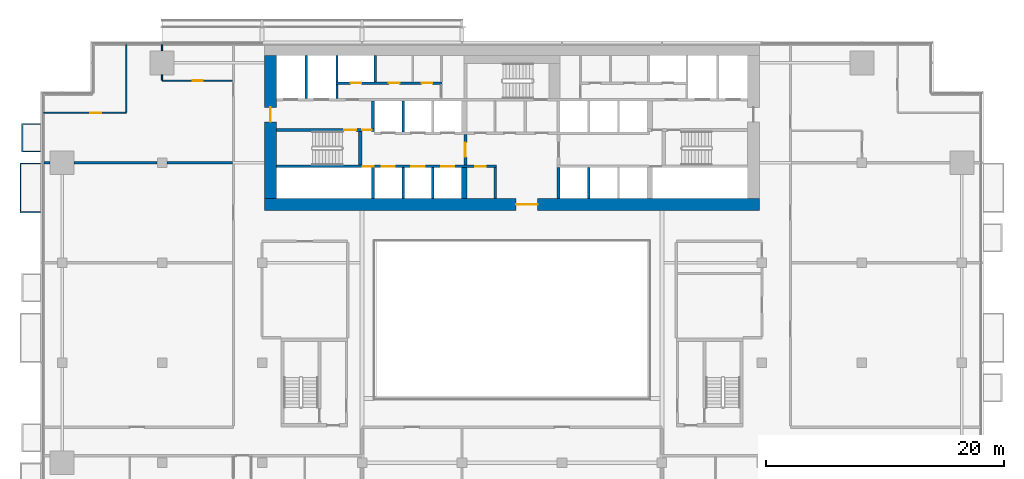
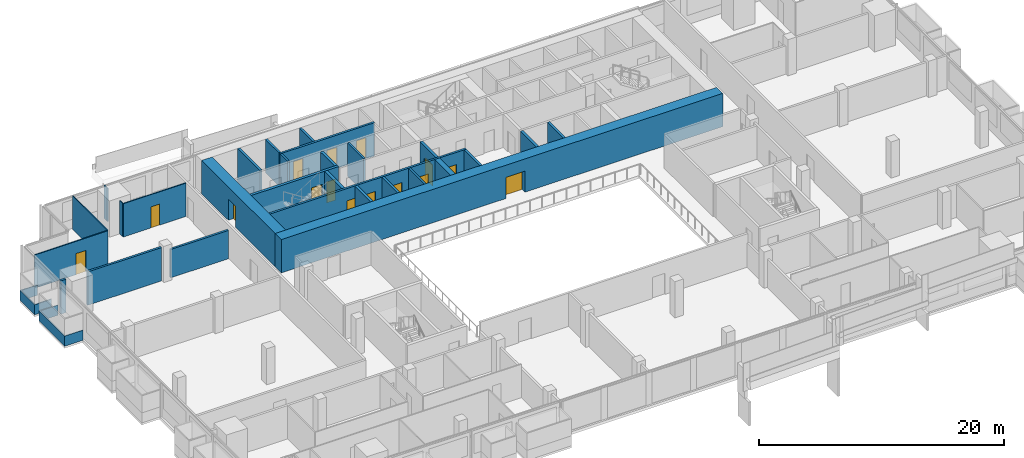
# One storey, part 19 of 26: 30 walls, 15 doors, 15 openings.
"""IFC4 building model written with IfcOpenShell, lengths in metres."""

from ifc_helpers import new_model, si_unit, direction, frame, frame_2d, origin, place, context, subcontext, project, spatial, polyline, rectangle, outline, extrude, material, layer, layer_set, type_object, element, fill, save


model = new_model("IFC4")

# Units and contexts
model_context = context("Model", 3, precision=1e-05, world=origin(), true_north=direction((0.0, 1.0)))
body_context = subcontext(model_context, "Body", "Model", "MODEL_VIEW")
ifc_project = project(units=[si_unit("LENGTHUNIT", "METRE"), si_unit("AREAUNIT", "SQUARE_METRE"), si_unit("VOLUMEUNIT", "CUBIC_METRE"), si_unit("PLANEANGLEUNIT", "RADIAN"), si_unit("MASSUNIT", "GRAM", prefix="KILO")], contexts=[model_context])

# Site, building, storey
site_placement = place(None, origin())
site = spatial("IfcSite", under=ifc_project, at=site_placement, CompositionType="ELEMENT")
building_placement = place(site_placement, origin())
building = spatial("IfcBuilding", under=site, at=building_placement, Name="Saffron Gate Tower", CompositionType="ELEMENT")
storey_placement = place(building_placement, frame((0.0, 0.0, 102.449951171875)))
storey = spatial("IfcBuildingStorey", under=building, at=storey_placement, Name="L23", CompositionType="ELEMENT", Elevation=102.449951171875)

# Wall
ifc_material_1 = material(Name="Gypsum board partition on steel studs", Category="steel")
ifc_layer_1 = layer(ifc_material_1, 0.199951171875)
ifc_layer_set_1 = layer_set([ifc_layer_1], Name="CW10 Core partition 200")
wall_type_1 = type_object("IfcWallType", Name="CW10 Core partition 200", PredefinedType="PARTITIONING", material=ifc_layer_set_1)
wall_1_placement = place(storey_placement, frame((86.199951171875, 62.39990234375, 0.0), z_axis=(0.0, 0.0, 1.0), x_axis=(0.0, 1.0, 0.0)))
element("IfcWall", 1, at=wall_1_placement, inside=storey, type_object=wall_type_1, Name="Wall CW10-L23-9", PredefinedType="PARTITIONING", context=body_context, shape_type="SweptSolid", body=[
    extrude(rectangle(XDim=2.60009765625, YDim=0.199951171875, at=frame_2d((1.300048828125, 0.0))), origin(), (0.0, 0.0, 1.0), 3.320068359375),
])

# Wall, opening, door
ifc_material_2 = material(Name="Concrete C70", Category="concrete")
ifc_layer_2 = layer(ifc_material_2, 1.0)
ifc_layer_set_2 = layer_set([ifc_layer_2], Name="CW12 RC core wall 1000 C70")
wall_type_2 = type_object("IfcWallType", Name="CW12 RC core wall 1000 C70", PredefinedType="SOLIDWALL", material=ifc_layer_set_2)
wall_2_placement = place(storey_placement, frame((66.800048828125, 61.89990234375, 0.0), z_axis=(0.0, 0.0, 1.0), x_axis=(1.0, 0.0, 0.0)))
wall_2 = element("IfcWall", 2, at=wall_2_placement, inside=storey, type_object=wall_type_2, Name="Wall CW12-L23-1", PredefinedType="SOLIDWALL", context=body_context, shape_type="SweptSolid", body=[
    extrude(rectangle(XDim=41.599853515625, YDim=1.0, at=frame_2d((20.7998046875, 0.0))), origin(), (0.0, 0.0, 1.0), 3.320068359375),
])
opening_1_placement = place(wall_2_placement, frame((21.14990234375, 0.0, 0.0)))
opening_1 = element("IfcOpeningElement", 3, at=opening_1_placement, cuts=wall_2, Name="Opening CR-09", PredefinedType="OPENING", context=body_context, shape_type="SweptSolid", body=[
    extrude(rectangle(XDim=1.800048828125, YDim=2.10009765625, at=frame_2d((0.89990234375, 1.050048828125))), frame((0.0, 0.510009765625, 0.0), z_axis=(0.0, -1.0, 0.0), x_axis=(1.0, 0.0, 0.0)), (0.0, 0.0, 1.0), 1.02001953125),
])
ifc_material_3 = material(Name="Steel fire door set", Category="steel")
door_type_1 = type_object("IfcDoorType", Name="CD1 Core entrance door 1800x2100 EI 120", OperationType="NOTDEFINED", PredefinedType="DOOR", material=ifc_material_3)
door_1_placement = place(opening_1_placement, origin())
door_1 = element("IfcDoor", 4, at=door_1_placement, inside=storey, type_object=door_type_1, Name="DOOR CR-09", OperationType="DOUBLE_DOOR_SINGLE_SWING", OverallHeight=2.10009765625, OverallWidth=1.800048828125, PredefinedType="DOOR", context=body_context, shape_type="SweptSolid", body=[
    extrude(rectangle(XDim=1.800048828125, YDim=2.10009765625, at=frame_2d((0.89990234375, 1.050048828125))), frame((0.0, 0.02490234375, 0.0), z_axis=(0.0, -1.0, 0.0), x_axis=(1.0, 0.0, 0.0)), (0.0, 0.0, 1.0), 0.050048828125),
])
fill(opening_1, door_1)

wall_3_placement = place(storey_placement, frame((67.300048828125, 62.39990234375, 0.0), z_axis=(0.0, 0.0, 1.0), x_axis=(0.0, 1.0, 0.0)))
wall_3 = element("IfcWall", 5, at=wall_3_placement, inside=storey, type_object=wall_type_2, Name="Wall CW12-L23-3", PredefinedType="SOLIDWALL", context=body_context, shape_type="SweptSolid", body=[
    extrude(rectangle(XDim=12.0, YDim=1.0, at=frame_2d((6.0, 0.0))), origin(), (0.0, 0.0, 1.0), 3.320068359375),
])
opening_2_placement = place(wall_3_placement, frame((6.449951171875, 0.0, 0.0)))
opening_2 = element("IfcOpeningElement", 6, at=opening_2_placement, cuts=wall_3, Name="Opening CR-10", PredefinedType="OPENING", context=body_context, shape_type="SweptSolid", body=[
    extrude(rectangle(XDim=1.199951171875, YDim=2.10009765625, at=frame_2d((0.60009765625, 1.050048828125))), frame((0.0, 0.510009765625, 0.0), z_axis=(0.0, -1.0, 0.0), x_axis=(1.0, 0.0, 0.0)), (0.0, 0.0, 1.0), 1.02001953125),
])
door_type_2 = type_object("IfcDoorType", Name="CD7 Core entrance door 1200x2100 EI 120", OperationType="NOTDEFINED", PredefinedType="DOOR", material=ifc_material_3)
door_2_placement = place(opening_2_placement, origin())
door_2 = element("IfcDoor", 7, at=door_2_placement, inside=storey, type_object=door_type_2, Name="DOOR CR-10", OperationType="SINGLE_SWING_LEFT", OverallHeight=2.10009765625, OverallWidth=1.199951171875, PredefinedType="DOOR", context=body_context, shape_type="SweptSolid", body=[
    extrude(rectangle(XDim=1.199951171875, YDim=2.10009765625, at=frame_2d((0.60009765625, 1.050048828125))), frame((0.0, 0.02490234375, 0.0), z_axis=(0.0, -1.0, 0.0), x_axis=(1.0, 0.0, 0.0)), (0.0, 0.0, 1.0), 0.050048828125),
])
fill(opening_2, door_2)

# Walls
ifc_layer_3 = layer(ifc_material_2, 0.25)
ifc_layer_set_3 = layer_set([ifc_layer_3], Name="CW2 RC core wall 250 C70")
wall_type_3 = type_object("IfcWallType", Name="CW2 RC core wall 250 C70", PredefinedType="SOLIDWALL", material=ifc_layer_set_3)
for number, where, z_axis, x_axis, name in (
    (8, (75.925048828125, 62.39990234375, 0.0), (0.0, 0.0, 1.0), (0.0, 1.0, 0.0), "Wall CW2-L23-5"),
    (9, (91.52490234375, 62.39990234375, 0.0), (0.0, 0.0, 1.0), (0.0, 1.0, 0.0), "Wall CW2-L23-10"),
):
    element("IfcWall", number, at=place(storey_placement, frame(where, z_axis=z_axis, x_axis=x_axis)), inside=storey, type_object=wall_type_3, Name=name, PredefinedType="SOLIDWALL", context=body_context, shape_type="SweptSolid", body=[
        extrude(rectangle(XDim=2.60009765625, YDim=0.25, at=frame_2d((1.300048828125, 0.0))), origin(), (0.0, 0.0, 1.0), 3.320068359375),
    ])

# Wall, opening, door
wall_4_placement = place(storey_placement, frame((83.675048828125, 65.199951171875, 0.0), z_axis=(0.0, 0.0, 1.0), x_axis=(0.0, 1.0, 0.0)))
wall_4 = element("IfcWall", 10, at=wall_4_placement, inside=storey, type_object=wall_type_3, Name="Wall CW2-L23-17", PredefinedType="SOLIDWALL", context=body_context, shape_type="SweptSolid", body=[
    extrude(rectangle(XDim=2.60009765625, YDim=0.25, at=frame_2d((1.300048828125, 0.0))), origin(), (0.0, 0.0, 1.0), 3.320068359375),
])
opening_3_placement = place(wall_4_placement, frame((0.699951171875, 0.0, 0.0)))
opening_3 = element("IfcOpeningElement", 11, at=opening_3_placement, cuts=wall_4, Name="Opening CR-07", PredefinedType="OPENING", context=body_context, shape_type="SweptSolid", body=[
    extrude(rectangle(XDim=1.199951171875, YDim=2.10009765625, at=frame_2d((0.60009765625, 1.050048828125))), frame((0.0, 0.135009765625, 0.0), z_axis=(0.0, -1.0, 0.0), x_axis=(1.0, 0.0, 0.0)), (0.0, 0.0, 1.0), 0.27001953125),
])
door_type_3 = type_object("IfcDoorType", Name="CD3 Lobby door 1200x2100 EI 120", OperationType="NOTDEFINED", PredefinedType="DOOR", material=ifc_material_3)
door_3_placement = place(opening_3_placement, origin())
door_3 = element("IfcDoor", 12, at=door_3_placement, inside=storey, type_object=door_type_3, Name="DOOR CR-07", OperationType="SINGLE_SWING_RIGHT", OverallHeight=2.10009765625, OverallWidth=1.199951171875, PredefinedType="DOOR", context=body_context, shape_type="SweptSolid", body=[
    extrude(rectangle(XDim=1.199951171875, YDim=2.10009765625, at=frame_2d((0.60009765625, 1.050048828125))), frame((0.0, 0.02490234375, 0.0), z_axis=(0.0, -1.0, 0.0), x_axis=(1.0, 0.0, 0.0)), (0.0, 0.0, 1.0), 0.050048828125),
])
fill(opening_3, door_3)

# Wall, openings, doors
wall_5_placement = place(storey_placement, frame((67.800048828125, 68.175048828125, 0.0), z_axis=(0.0, 0.0, 1.0), x_axis=(1.0, 0.0, 0.0)))
wall_5 = element("IfcWall", 13, at=wall_5_placement, inside=storey, type_object=wall_type_3, Name="Wall CW2-L23-30", PredefinedType="SOLIDWALL", context=body_context, shape_type="SweptSolid", body=[
    extrude(rectangle(XDim=8.25, YDim=0.25, at=frame_2d((4.125, 0.0))), origin(), (0.0, 0.0, 1.0), 3.320068359375),
])
opening_4_placement = place(wall_5_placement, frame((5.699951171875, 0.0, 0.0)))
opening_4 = element("IfcOpeningElement", 14, at=opening_4_placement, cuts=wall_5, Name="Opening CR-15", PredefinedType="OPENING", context=body_context, shape_type="SweptSolid", body=[
    extrude(rectangle(XDim=1.0, YDim=2.10009765625, at=frame_2d((0.5, 1.050048828125))), frame((0.0, 0.135009765625, 0.0), z_axis=(0.0, -1.0, 0.0), x_axis=(1.0, 0.0, 0.0)), (0.0, 0.0, 1.0), 0.27001953125),
])
opening_5_placement = place(wall_5_placement, frame((7.199951171875, 0.0, 0.0)))
opening_5 = element("IfcOpeningElement", 15, at=opening_5_placement, cuts=wall_5, Name="Opening CR-06", PredefinedType="OPENING", context=body_context, shape_type="SweptSolid", body=[
    extrude(rectangle(XDim=0.800048828125, YDim=2.10009765625, at=frame_2d((0.39990234375, 1.050048828125))), frame((0.0, 0.135009765625, 0.0), z_axis=(0.0, -1.0, 0.0), x_axis=(1.0, 0.0, 0.0)), (0.0, 0.0, 1.0), 0.27001953125),
])
door_type_4 = type_object("IfcDoorType", Name="CD5 Stair door 1000x2100 EI 120", OperationType="NOTDEFINED", PredefinedType="DOOR", material=ifc_material_3)
door_4_placement = place(opening_4_placement, origin())
door_4 = element("IfcDoor", 16, at=door_4_placement, inside=storey, type_object=door_type_4, Name="DOOR CR-15", OperationType="SINGLE_SWING_RIGHT", OverallHeight=2.10009765625, OverallWidth=1.0, PredefinedType="DOOR", context=body_context, shape_type="SweptSolid", body=[
    extrude(rectangle(XDim=1.0, YDim=2.10009765625, at=frame_2d((0.5, 1.050048828125))), frame((0.0, 0.02490234375, 0.0), z_axis=(0.0, -1.0, 0.0), x_axis=(1.0, 0.0, 0.0)), (0.0, 0.0, 1.0), 0.050048828125),
])
fill(opening_4, door_4)
door_type_5 = type_object("IfcDoorType", Name="CD6 Lobby door 800x2100 EI 120", OperationType="NOTDEFINED", PredefinedType="DOOR", material=ifc_material_3)
door_5_placement = place(opening_5_placement, origin())
door_5 = element("IfcDoor", 17, at=door_5_placement, inside=storey, type_object=door_type_5, Name="DOOR CR-06", OperationType="SINGLE_SWING_LEFT", OverallHeight=2.10009765625, OverallWidth=0.800048828125, PredefinedType="DOOR", context=body_context, shape_type="SweptSolid", body=[
    extrude(rectangle(XDim=0.800048828125, YDim=2.10009765625, at=frame_2d((0.39990234375, 1.050048828125))), frame((0.0, 0.02490234375, 0.0), z_axis=(0.0, -1.0, 0.0), x_axis=(1.0, 0.0, 0.0)), (0.0, 0.0, 1.0), 0.050048828125),
])
fill(opening_5, door_5)

# Walls
wall_6_placement = place(storey_placement, frame((75.925048828125, 68.300048828125, 0.0), z_axis=(0.0, 0.0, 1.0), x_axis=(0.0, 1.0, 0.0)))
element("IfcWall", 18, at=wall_6_placement, inside=storey, type_object=wall_type_3, Name="Wall CW2-L23-32", PredefinedType="SOLIDWALL", context=body_context, shape_type="SweptSolid", body=[
    extrude(rectangle(XDim=2.300048828125, YDim=0.25, at=frame_2d((1.14990234375, 0.0))), origin(), (0.0, 0.0, 1.0), 3.320068359375),
])
ifc_layer_4 = layer(ifc_material_2, 0.199951171875)
ifc_layer_set_4 = layer_set([ifc_layer_4], Name="CW3 RC core wall 200 C70")
wall_type_4 = type_object("IfcWallType", Name="CW3 RC core wall 200 C70", PredefinedType="SOLIDWALL", material=ifc_layer_set_4)
for number, where, z_axis, x_axis, name in (
    (19, (78.449951171875, 62.39990234375, 0.0), (0.0, 0.0, 1.0), (0.0, 1.0, 0.0), "Wall CW3-L23-6"),
    (20, (80.949951171875, 62.39990234375, 0.0), (0.0, 0.0, 1.0), (0.0, 1.0, 0.0), "Wall CW3-L23-7"),
    (21, (94.050048828125, 62.39990234375, 0.0), (0.0, 0.0, 1.0), (0.0, 1.0, 0.0), "Wall CW3-L23-11"),
):
    element("IfcWall", number, at=place(storey_placement, frame(where, z_axis=z_axis, x_axis=x_axis)), inside=storey, type_object=wall_type_4, Name=name, PredefinedType="SOLIDWALL", context=body_context, shape_type="SweptSolid", body=[
        extrude(rectangle(XDim=2.60009765625, YDim=0.199951171875, at=frame_2d((1.300048828125, 0.0))), origin(), (0.0, 0.0, 1.0), 3.320068359375),
    ])

# Wall, openings, doors
wall_7_placement = place(storey_placement, frame((67.800048828125, 65.10009765625, 0.0), z_axis=(0.0, 0.0, 1.0), x_axis=(1.0, 0.0, 0.0)))
wall_7 = element("IfcWall", 22, at=wall_7_placement, inside=storey, type_object=wall_type_4, Name="Wall CW3-L23-14", PredefinedType="SOLIDWALL", context=body_context, shape_type="SweptSolid", body=[
    extrude(rectangle(XDim=18.5, YDim=0.199951171875, at=frame_2d((9.25, 0.0))), origin(), (0.0, 0.0, 1.0), 3.320068359375),
])
opening_6_placement = place(wall_7_placement, frame((7.27001953125, 0.0, 0.0)))
opening_6 = element("IfcOpeningElement", 23, at=opening_6_placement, cuts=wall_7, Name="Opening CR-49", PredefinedType="OPENING", context=body_context, shape_type="SweptSolid", body=[
    extrude(rectangle(XDim=0.89990234375, YDim=2.10009765625, at=frame_2d((0.449951171875, 1.050048828125))), frame((0.0, 0.10986328125, 0.0), z_axis=(0.0, -1.0, 0.0), x_axis=(1.0, 0.0, 0.0)), (0.0, 0.0, 1.0), 0.219970703125),
])
opening_7_placement = place(wall_7_placement, frame((8.85009765625, 0.0, 0.0)))
opening_7 = element("IfcOpeningElement", 24, at=opening_7_placement, cuts=wall_7, Name="Opening LD-LR1", PredefinedType="OPENING", context=body_context, shape_type="SweptSolid", body=[
    extrude(rectangle(XDim=1.10009765625, YDim=2.10009765625, at=frame_2d((0.550048828125, 1.050048828125))), frame((0.0, 0.10986328125, 0.0), z_axis=(0.0, -1.0, 0.0), x_axis=(1.0, 0.0, 0.0)), (0.0, 0.0, 1.0), 0.219970703125),
])
opening_8_placement = place(wall_7_placement, frame((11.35009765625, 0.0, 0.0)))
opening_8 = element("IfcOpeningElement", 25, at=opening_8_placement, cuts=wall_7, Name="Opening LD-LR2", PredefinedType="OPENING", context=body_context, shape_type="SweptSolid", body=[
    extrude(rectangle(XDim=1.10009765625, YDim=2.10009765625, at=frame_2d((0.550048828125, 1.050048828125))), frame((0.0, 0.10986328125, 0.0), z_axis=(0.0, -1.0, 0.0), x_axis=(1.0, 0.0, 0.0)), (0.0, 0.0, 1.0), 0.219970703125),
])
opening_9_placement = place(wall_7_placement, frame((13.85009765625, 0.0, 0.0)))
opening_9 = element("IfcOpeningElement", 26, at=opening_9_placement, cuts=wall_7, Name="Opening LD-LR3", PredefinedType="OPENING", context=body_context, shape_type="SweptSolid", body=[
    extrude(rectangle(XDim=1.10009765625, YDim=2.10009765625, at=frame_2d((0.550048828125, 1.050048828125))), frame((0.0, 0.10986328125, 0.0), z_axis=(0.0, -1.0, 0.0), x_axis=(1.0, 0.0, 0.0)), (0.0, 0.0, 1.0), 0.219970703125),
])
opening_10_placement = place(wall_7_placement, frame((16.699951171875, 0.0, 0.0)))
opening_10 = element("IfcOpeningElement", 27, at=opening_10_placement, cuts=wall_7, Name="Opening CR-69", PredefinedType="OPENING", context=body_context, shape_type="SweptSolid", body=[
    extrude(rectangle(XDim=0.89990234375, YDim=2.10009765625, at=frame_2d((0.449951171875, 1.050048828125))), frame((0.0, 0.10986328125, 0.0), z_axis=(0.0, -1.0, 0.0), x_axis=(1.0, 0.0, 0.0)), (0.0, 0.0, 1.0), 0.219970703125),
])
door_type_6 = type_object("IfcDoorType", Name="CD2 Riser door 900x2100 EI 60", OperationType="NOTDEFINED", PredefinedType="DOOR", material=ifc_material_3)
door_6_placement = place(opening_6_placement, origin())
door_6 = element("IfcDoor", 28, at=door_6_placement, inside=storey, type_object=door_type_6, Name="DOOR CR-49", OperationType="SINGLE_SWING_LEFT", OverallHeight=2.10009765625, OverallWidth=0.89990234375, PredefinedType="DOOR", context=body_context, shape_type="SweptSolid", body=[
    extrude(rectangle(XDim=0.89990234375, YDim=2.10009765625, at=frame_2d((0.449951171875, 1.050048828125))), frame((0.0, 0.02490234375, 0.0), z_axis=(0.0, -1.0, 0.0), x_axis=(1.0, 0.0, 0.0)), (0.0, 0.0, 1.0), 0.050048828125),
])
fill(opening_6, door_6)
door_type_7 = type_object("IfcDoorType", Name="CD9 Room door 900x2100 EI 60", OperationType="NOTDEFINED", PredefinedType="DOOR", material=ifc_material_3)
door_7_placement = place(opening_10_placement, origin())
door_7 = element("IfcDoor", 29, at=door_7_placement, inside=storey, type_object=door_type_7, Name="DOOR CR-69", OperationType="SINGLE_SWING_RIGHT", OverallHeight=2.10009765625, OverallWidth=0.89990234375, PredefinedType="DOOR", context=body_context, shape_type="SweptSolid", body=[
    extrude(rectangle(XDim=0.89990234375, YDim=2.10009765625, at=frame_2d((0.449951171875, 1.050048828125))), frame((0.0, 0.02490234375, 0.0), z_axis=(0.0, -1.0, 0.0), x_axis=(1.0, 0.0, 0.0)), (0.0, 0.0, 1.0), 0.050048828125),
])
fill(opening_10, door_7)
ifc_material_4 = material(Name="Stainless steel landing door", Category="steel")
door_type_8 = type_object("IfcDoorType", Name="LD Lift landing door 1100x2100 EI 120", OperationType="SLIDING_TO_LEFT", PredefinedType="DOOR", material=ifc_material_4)
door_8_placement = place(opening_7_placement, origin())
door_8 = element("IfcDoor", 30, at=door_8_placement, inside=storey, type_object=door_type_8, Name="LANDING DOOR LD-LR1", OperationType="SLIDING_TO_LEFT", OverallHeight=2.10009765625, OverallWidth=1.10009765625, PredefinedType="DOOR", context=body_context, shape_type="SweptSolid", body=[
    extrude(rectangle(XDim=1.10009765625, YDim=2.10009765625, at=frame_2d((0.550048828125, 1.050048828125))), frame((0.0, 0.02490234375, 0.0), z_axis=(0.0, -1.0, 0.0), x_axis=(1.0, 0.0, 0.0)), (0.0, 0.0, 1.0), 0.050048828125),
])
fill(opening_7, door_8)
door_9_placement = place(opening_8_placement, origin())
door_9 = element("IfcDoor", 31, at=door_9_placement, inside=storey, type_object=door_type_8, Name="LANDING DOOR LD-LR2", OperationType="SLIDING_TO_LEFT", OverallHeight=2.10009765625, OverallWidth=1.10009765625, PredefinedType="DOOR", context=body_context, shape_type="SweptSolid", body=[
    extrude(rectangle(XDim=1.10009765625, YDim=2.10009765625, at=frame_2d((0.550048828125, 1.050048828125))), frame((0.0, 0.02490234375, 0.0), z_axis=(0.0, -1.0, 0.0), x_axis=(1.0, 0.0, 0.0)), (0.0, 0.0, 1.0), 0.050048828125),
])
fill(opening_8, door_9)
door_10_placement = place(opening_9_placement, origin())
door_10 = element("IfcDoor", 32, at=door_10_placement, inside=storey, type_object=door_type_8, Name="LANDING DOOR LD-LR3", OperationType="SLIDING_TO_LEFT", OverallHeight=2.10009765625, OverallWidth=1.10009765625, PredefinedType="DOOR", context=body_context, shape_type="SweptSolid", body=[
    extrude(rectangle(XDim=1.10009765625, YDim=2.10009765625, at=frame_2d((0.550048828125, 1.050048828125))), frame((0.0, 0.02490234375, 0.0), z_axis=(0.0, -1.0, 0.0), x_axis=(1.0, 0.0, 0.0)), (0.0, 0.0, 1.0), 0.050048828125),
])
fill(opening_9, door_10)

# Walls
wall_8_placement = place(storey_placement, frame((78.449951171875, 68.0, 0.0), z_axis=(0.0, 0.0, 1.0), x_axis=(0.0, 1.0, 0.0)))
element("IfcWall", 33, at=wall_8_placement, inside=storey, type_object=wall_type_4, Name="Wall CW3-L23-21", PredefinedType="SOLIDWALL", context=body_context, shape_type="SweptSolid", body=[
    extrude(rectangle(XDim=2.60009765625, YDim=0.199951171875, at=frame_2d((1.300048828125, 0.0))), origin(), (0.0, 0.0, 1.0), 3.320068359375),
])
wall_9_placement = place(storey_placement, frame((70.300048828125, 70.800048828125, 0.0), z_axis=(0.0, 0.0, 1.0), x_axis=(0.0, 1.0, 0.0)))
element("IfcWall", 34, at=wall_9_placement, inside=storey, type_object=wall_type_4, Name="Wall CW3-L23-35", PredefinedType="SOLIDWALL", context=body_context, shape_type="SweptSolid", body=[
    extrude(rectangle(XDim=3.599853515625, YDim=0.199951171875, at=frame_2d((1.7998046875, 0.0))), origin(), (0.0, 0.0, 1.0), 3.320068359375),
])
wall_10_placement = place(storey_placement, frame((72.89990234375, 70.800048828125, 0.0), z_axis=(0.0, 0.0, 1.0), x_axis=(0.0, 1.0, 0.0)))
element("IfcWall", 35, at=wall_10_placement, inside=storey, type_object=wall_type_4, Name="Wall CW3-L23-36", PredefinedType="SOLIDWALL", context=body_context, shape_type="SweptSolid", body=[
    extrude(rectangle(XDim=1.199951171875, YDim=0.199951171875, at=frame_2d((0.60009765625, 0.0))), origin(), (0.0, 0.0, 1.0), 3.320068359375),
])

# Wall, openings, doors
wall_11_placement = place(storey_placement, frame((72.800048828125, 72.10009765625, 0.0), z_axis=(0.0, 0.0, 1.0), x_axis=(1.0, 0.0, 0.0)))
wall_11 = element("IfcWall", 36, at=wall_11_placement, inside=storey, type_object=wall_type_4, Name="Wall CW3-L23-43", PredefinedType="SOLIDWALL", context=body_context, shape_type="SweptSolid", body=[
    extrude(rectangle(XDim=8.919921875, YDim=0.199951171875, at=frame_2d((4.4599609375, 0.0))), origin(), (0.0, 0.0, 1.0), 3.320068359375),
])
opening_11_placement = place(wall_11_placement, frame((1.25, 0.0, 0.0)))
opening_11 = element("IfcOpeningElement", 37, at=opening_11_placement, cuts=wall_11, Name="Opening CR-71", PredefinedType="OPENING", context=body_context, shape_type="SweptSolid", body=[
    extrude(rectangle(XDim=0.89990234375, YDim=2.10009765625, at=frame_2d((0.449951171875, 1.050048828125))), frame((0.0, 0.10986328125, 0.0), z_axis=(0.0, -1.0, 0.0), x_axis=(1.0, 0.0, 0.0)), (0.0, 0.0, 1.0), 0.219970703125),
])
opening_12_placement = place(wall_11_placement, frame((4.449951171875, 0.0, 0.0)))
opening_12 = element("IfcOpeningElement", 38, at=opening_12_placement, cuts=wall_11, Name="Opening CR-55", PredefinedType="OPENING", context=body_context, shape_type="SweptSolid", body=[
    extrude(rectangle(XDim=0.89990234375, YDim=2.10009765625, at=frame_2d((0.449951171875, 1.050048828125))), frame((0.0, 0.10986328125, 0.0), z_axis=(0.0, -1.0, 0.0), x_axis=(1.0, 0.0, 0.0)), (0.0, 0.0, 1.0), 0.219970703125),
])
opening_13_placement = place(wall_11_placement, frame((7.2099609375, 0.0, 0.0)))
opening_13 = element("IfcOpeningElement", 39, at=opening_13_placement, cuts=wall_11, Name="Opening CR-58", PredefinedType="OPENING", context=body_context, shape_type="SweptSolid", body=[
    extrude(rectangle(XDim=0.89990234375, YDim=2.10009765625, at=frame_2d((0.449951171875, 1.050048828125))), frame((0.0, 0.10986328125, 0.0), z_axis=(0.0, -1.0, 0.0), x_axis=(1.0, 0.0, 0.0)), (0.0, 0.0, 1.0), 0.219970703125),
])
door_11_placement = place(opening_11_placement, origin())
door_11 = element("IfcDoor", 40, at=door_11_placement, inside=storey, type_object=door_type_6, Name="DOOR CR-71", OperationType="SINGLE_SWING_LEFT", OverallHeight=2.10009765625, OverallWidth=0.89990234375, PredefinedType="DOOR", context=body_context, shape_type="SweptSolid", body=[
    extrude(rectangle(XDim=0.89990234375, YDim=2.10009765625, at=frame_2d((0.449951171875, 1.050048828125))), frame((0.0, 0.02490234375, 0.0), z_axis=(0.0, -1.0, 0.0), x_axis=(1.0, 0.0, 0.0)), (0.0, 0.0, 1.0), 0.050048828125),
])
fill(opening_11, door_11)
door_12_placement = place(opening_12_placement, origin())
door_12 = element("IfcDoor", 41, at=door_12_placement, inside=storey, type_object=door_type_7, Name="DOOR CR-55", OperationType="SINGLE_SWING_LEFT", OverallHeight=2.10009765625, OverallWidth=0.89990234375, PredefinedType="DOOR", context=body_context, shape_type="SweptSolid", body=[
    extrude(rectangle(XDim=0.89990234375, YDim=2.10009765625, at=frame_2d((0.449951171875, 1.050048828125))), frame((0.0, 0.02490234375, 0.0), z_axis=(0.0, -1.0, 0.0), x_axis=(1.0, 0.0, 0.0)), (0.0, 0.0, 1.0), 0.050048828125),
])
fill(opening_12, door_12)
door_13_placement = place(opening_13_placement, origin())
door_13 = element("IfcDoor", 42, at=door_13_placement, inside=storey, type_object=door_type_7, Name="DOOR CR-58", OperationType="SINGLE_SWING_LEFT", OverallHeight=2.10009765625, OverallWidth=0.89990234375, PredefinedType="DOOR", context=body_context, shape_type="SweptSolid", body=[
    extrude(rectangle(XDim=0.89990234375, YDim=2.10009765625, at=frame_2d((0.449951171875, 1.050048828125))), frame((0.0, 0.02490234375, 0.0), z_axis=(0.0, -1.0, 0.0), x_axis=(1.0, 0.0, 0.0)), (0.0, 0.0, 1.0), 0.050048828125),
])
fill(opening_13, door_13)

# Walls
for number, where, z_axis, x_axis, name in (
    (43, (72.89990234375, 72.199951171875, 0.0), (0.0, 0.0, 1.0), (0.0, 1.0, 0.0), "Wall CW3-L23-45"),
    (44, (76.10009765625, 72.199951171875, 0.0), (0.0, 0.0, 1.0), (0.0, 1.0, 0.0), "Wall CW3-L23-46"),
):
    element("IfcWall", number, at=place(storey_placement, frame(where, z_axis=z_axis, x_axis=x_axis)), inside=storey, type_object=wall_type_4, Name=name, PredefinedType="SOLIDWALL", context=body_context, shape_type="SweptSolid", body=[
        extrude(rectangle(XDim=2.199951171875, YDim=0.199951171875, at=frame_2d((1.10009765625, 0.0))), origin(), (0.0, 0.0, 1.0), 3.320068359375),
    ])
ifc_layer_5 = layer(ifc_material_2, 0.449951171875)
ifc_layer_set_5 = layer_set([ifc_layer_5], Name="CW4 RC core wall 450 C70")
wall_type_5 = type_object("IfcWallType", Name="CW4 RC core wall 450 C70", PredefinedType="SOLIDWALL", material=ifc_layer_set_5)
wall_12_placement = place(storey_placement, frame((83.574951171875, 62.39990234375, 0.0), z_axis=(0.0, 0.0, 1.0), x_axis=(0.0, 1.0, 0.0)))
element("IfcWall", 45, at=wall_12_placement, inside=storey, type_object=wall_type_5, Name="Wall CW4-L23-8", PredefinedType="SOLIDWALL", context=body_context, shape_type="SweptSolid", body=[
    extrude(rectangle(XDim=2.60009765625, YDim=0.449951171875, at=frame_2d((1.300048828125, 0.0))), origin(), (0.0, 0.0, 1.0), 3.320068359375),
])
ifc_layer_6 = layer(ifc_material_2, 0.300048828125)
ifc_layer_set_6 = layer_set([ifc_layer_6], Name="CW5 RC core wall 300 C70")
wall_type_6 = type_object("IfcWallType", Name="CW5 RC core wall 300 C70", PredefinedType="SOLIDWALL", material=ifc_layer_set_6)
wall_13_placement = place(storey_placement, frame((74.85009765625, 65.199951171875, 0.0), z_axis=(0.0, 0.0, 1.0), x_axis=(0.0, 1.0, 0.0)))
element("IfcWall", 46, at=wall_13_placement, inside=storey, type_object=wall_type_6, Name="Wall CW5-L23-16", PredefinedType="SOLIDWALL", context=body_context, shape_type="SweptSolid", body=[
    extrude(rectangle(XDim=2.85009765625, YDim=0.300048828125, at=frame_2d((1.425048828125, 0.0))), origin(), (0.0, 0.0, 1.0), 3.320068359375),
])

# Wall, opening, door
ifc_material_5 = material(Name="Plasterboard on steel studs", Category="steel")
ifc_layer_7 = layer(ifc_material_5, 0.10009765625)
ifc_layer_set_7 = layer_set([ifc_layer_7], Name="PW1 Partition 100")
wall_type_7 = type_object("IfcWallType", Name="PW1 Partition 100", PredefinedType="PARTITIONING", material=ifc_layer_set_7)
wall_14_placement = place(storey_placement, frame((48.280029296875, 69.60009765625, 0.0), z_axis=(0.0, 0.0, 1.0), x_axis=(1.0, 0.0, 0.0)))
wall_14 = element("IfcWall", 47, at=wall_14_placement, inside=storey, type_object=wall_type_7, Name="Partition B1-33", PredefinedType="PARTITIONING", context=body_context, shape_type="SweptSolid", body=[
    extrude(rectangle(XDim=6.919921875, YDim=0.10009765625, at=frame_2d((3.4599609375, 0.0))), origin(), (0.0, 0.0, 1.0), 3.320068359375),
])
opening_14_placement = place(wall_14_placement, frame((3.9052734375, 0.0, 0.0)))
opening_14 = element("IfcOpeningElement", 48, at=opening_14_placement, cuts=wall_14, Name="Opening B1-13", PredefinedType="OPENING", context=body_context, shape_type="SweptSolid", body=[
    extrude(rectangle(XDim=0.89990234375, YDim=2.10009765625, at=frame_2d((0.449951171875, 1.050048828125))), frame((0.0, 0.06005859375, 0.0), z_axis=(0.0, -1.0, 0.0), x_axis=(1.0, 0.0, 0.0)), (0.0, 0.0, 1.0), 0.1201171875),
])
ifc_material_6 = material(Name="Timber door set", Category="wood")
door_type_9 = type_object("IfcDoorType", Name="RD1 Room door 900x2100", OperationType="NOTDEFINED", PredefinedType="DOOR", material=ifc_material_6)
door_14_placement = place(opening_14_placement, origin())
door_14 = element("IfcDoor", 49, at=door_14_placement, inside=storey, type_object=door_type_9, Name="Door B1-13", OperationType="SINGLE_SWING_RIGHT", OverallHeight=2.10009765625, OverallWidth=0.89990234375, PredefinedType="DOOR", context=body_context, shape_type="SweptSolid", body=[
    extrude(rectangle(XDim=0.89990234375, YDim=2.10009765625, at=frame_2d((0.449951171875, 1.050048828125))), frame((0.0, 0.02490234375, 0.0), z_axis=(0.0, -1.0, 0.0), x_axis=(1.0, 0.0, 0.0)), (0.0, 0.0, 1.0), 0.050048828125),
])
fill(opening_14, door_14)

wall_15_placement = place(storey_placement, frame((58.199951171875, 72.300048828125, 0.0), z_axis=(0.0, 0.0, 1.0), x_axis=(1.0, 0.0, 0.0)))
wall_15 = element("IfcWall", 50, at=wall_15_placement, inside=storey, type_object=wall_type_7, Name="Partition B1-35", PredefinedType="PARTITIONING", context=body_context, shape_type="SweptSolid", body=[
    extrude(rectangle(XDim=5.900146484375, YDim=0.10009765625, at=frame_2d((2.9501953125, 0.0))), origin(), (0.0, 0.0, 1.0), 3.320068359375),
])
opening_15_placement = place(wall_15_placement, frame((2.60009765625, 0.0, 0.0)))
opening_15 = element("IfcOpeningElement", 51, at=opening_15_placement, cuts=wall_15, Name="Opening B1-20", PredefinedType="OPENING", context=body_context, shape_type="SweptSolid", body=[
    extrude(rectangle(XDim=0.800048828125, YDim=2.10009765625, at=frame_2d((0.39990234375, 1.050048828125))), frame((0.0, 0.06005859375, 0.0), z_axis=(0.0, -1.0, 0.0), x_axis=(1.0, 0.0, 0.0)), (0.0, 0.0, 1.0), 0.1201171875),
])
door_type_10 = type_object("IfcDoorType", Name="RD2 Bathroom door 800x2100", OperationType="NOTDEFINED", PredefinedType="DOOR", material=ifc_material_6)
door_15_placement = place(opening_15_placement, origin())
door_15 = element("IfcDoor", 52, at=door_15_placement, inside=storey, type_object=door_type_10, Name="Door B1-20", OperationType="SINGLE_SWING_RIGHT", OverallHeight=2.10009765625, OverallWidth=0.800048828125, PredefinedType="DOOR", context=body_context, shape_type="SweptSolid", body=[
    extrude(rectangle(XDim=0.800048828125, YDim=2.10009765625, at=frame_2d((0.39990234375, 1.050048828125))), frame((0.0, 0.02490234375, 0.0), z_axis=(0.0, -1.0, 0.0), x_axis=(1.0, 0.0, 0.0)), (0.0, 0.0, 1.0), 0.050048828125),
])
fill(opening_15, door_15)

# Walls
wall_16_placement = place(storey_placement, frame((55.199951171875, 75.320068359375, 0.0), z_axis=(0.0, 0.0, 1.0), x_axis=(0.0, -1.0, 0.0)))
element("IfcWall", 53, at=wall_16_placement, inside=storey, type_object=wall_type_7, Name="Partition B1-37", PredefinedType="PARTITIONING", context=body_context, shape_type="SweptSolid", body=[
    extrude(rectangle(XDim=5.670166015625, YDim=0.10009765625, at=frame_2d((2.8349609375, 0.0))), origin(), (0.0, 0.0, 1.0), 3.320068359375),
])
wall_17_placement = place(storey_placement, frame((58.199951171875, 72.780029296875, 0.0), z_axis=(0.0, 0.0, 1.0), x_axis=(0.0, -1.0, 0.0)))
element("IfcWall", 54, at=wall_17_placement, inside=storey, type_object=wall_type_7, Name="Partition B1-39", PredefinedType="PARTITIONING", context=body_context, shape_type="SweptSolid", body=[
    extrude(rectangle(XDim=0.429931640625, YDim=0.10009765625, at=frame_2d((0.21484375, 0.0))), origin(), (0.0, 0.0, 1.0), 3.320068359375),
])
wall_18_placement = place(storey_placement, frame((58.199951171875, 75.320068359375, 0.0), z_axis=(0.0, 0.0, 1.0), x_axis=(0.0, -1.0, 0.0)))
element("IfcWall", 55, at=wall_18_placement, inside=storey, type_object=wall_type_7, Name="Partition B1-40", PredefinedType="PARTITIONING", context=body_context, shape_type="SweptSolid", body=[
    extrude(rectangle(XDim=0.5, YDim=0.10009765625, at=frame_2d((0.25, 0.0))), origin(), (0.0, 0.0, 1.0), 3.320068359375),
])
ifc_material_7 = material(Name="Clay brick masonry, rendered", Category="masonry")
ifc_layer_8 = layer(ifc_material_7, 0.199951171875)
ifc_layer_set_8 = layer_set([ifc_layer_8], Name="PW5 Room wall 200")
wall_type_8 = type_object("IfcWallType", Name="PW5 Room wall 200", PredefinedType="PARTITIONING", material=ifc_layer_set_8)
wall_19_placement = place(storey_placement, frame((48.280029296875, 65.39990234375, 0.0), z_axis=(0.0, 0.0, 1.0), x_axis=(1.0, 0.0, 0.0)))
element("IfcWall", 56, at=wall_19_placement, inside=storey, type_object=wall_type_8, Name="Wall B1-26", PredefinedType="PARTITIONING", context=body_context, shape_type="SweptSolid", body=[
    extrude(rectangle(XDim=0.5, YDim=0.199951171875, at=frame_2d((0.25, 0.0))), origin(), (0.0, 0.0, 1.0), 3.320068359375),
])
wall_20_placement = place(storey_placement, frame((50.820068359375, 65.39990234375, 0.0), z_axis=(0.0, 0.0, 1.0), x_axis=(1.0, 0.0, 0.0)))
element("IfcWall", 57, at=wall_20_placement, inside=storey, type_object=wall_type_8, Name="Wall B1-27", PredefinedType="PARTITIONING", context=body_context, shape_type="SweptSolid", body=[
    extrude(rectangle(XDim=6.9599609375, YDim=0.199951171875, at=frame_2d((3.47998046875, 0.0))), origin(), (0.0, 0.0, 1.0), 3.320068359375),
])
wall_21_placement = place(storey_placement, frame((58.6201171875, 65.39990234375, 0.0), z_axis=(0.0, 0.0, 1.0), x_axis=(1.0, 0.0, 0.0)))
element("IfcWall", 58, at=wall_21_placement, inside=storey, type_object=wall_type_8, Name="Wall B1-28", PredefinedType="PARTITIONING", context=body_context, shape_type="SweptSolid", body=[
    extrude(rectangle(XDim=5.47998046875, YDim=0.199951171875, at=frame_2d((2.739990234375, 0.0))), origin(), (0.0, 0.0, 1.0), 2.820068359375),
])
ifc_material_8 = material(Name="Rendered insulated panel, white")
ifc_layer_9 = layer(ifc_material_8, 0.10009765625)
ifc_layer_set_9 = layer_set([ifc_layer_9], Name="WB3 box parapet white")
wall_type_9 = type_object("IfcWallType", Name="WB3 box parapet white", PredefinedType="SOLIDWALL", material=ifc_layer_set_9)
wall_22_placement = place(storey_placement, origin())
element("IfcWall", 59, at=wall_22_placement, inside=storey, type_object=wall_type_9, Name="WINDOW BOX parapet", PredefinedType="SOLIDWALL", context=body_context, shape_type="SweptSolid", body=[
    extrude(outline(polyline([(48.0, 68.699951171875), (48.0, 68.60009765625), (46.5, 68.60009765625), (46.5, 66.39990234375), (48.0, 66.39990234375), (48.0, 66.300048828125), (46.39990234375, 66.300048828125), (46.39990234375, 68.699951171875), (48.0, 68.699951171875)])), origin(), (0.0, 0.0, 1.0), 1.0),
])
wall_23_placement = place(storey_placement, origin())
element("IfcWall", 60, at=wall_23_placement, inside=storey, type_object=wall_type_9, Name="WINDOW BOX parapet", PredefinedType="SOLIDWALL", context=body_context, shape_type="SweptSolid", body=[
    extrude(outline(polyline([(48.0, 65.39990234375), (48.0, 65.300048828125), (46.366943359375, 65.300048828125), (46.366943359375, 61.300048828125), (48.0, 61.300048828125), (48.0, 61.199951171875), (46.26708984375, 61.199951171875), (46.26708984375, 65.39990234375), (48.0, 65.39990234375)])), origin(), (0.0, 0.0, 1.0), 1.0),
])

save(model, "model.ifc")
